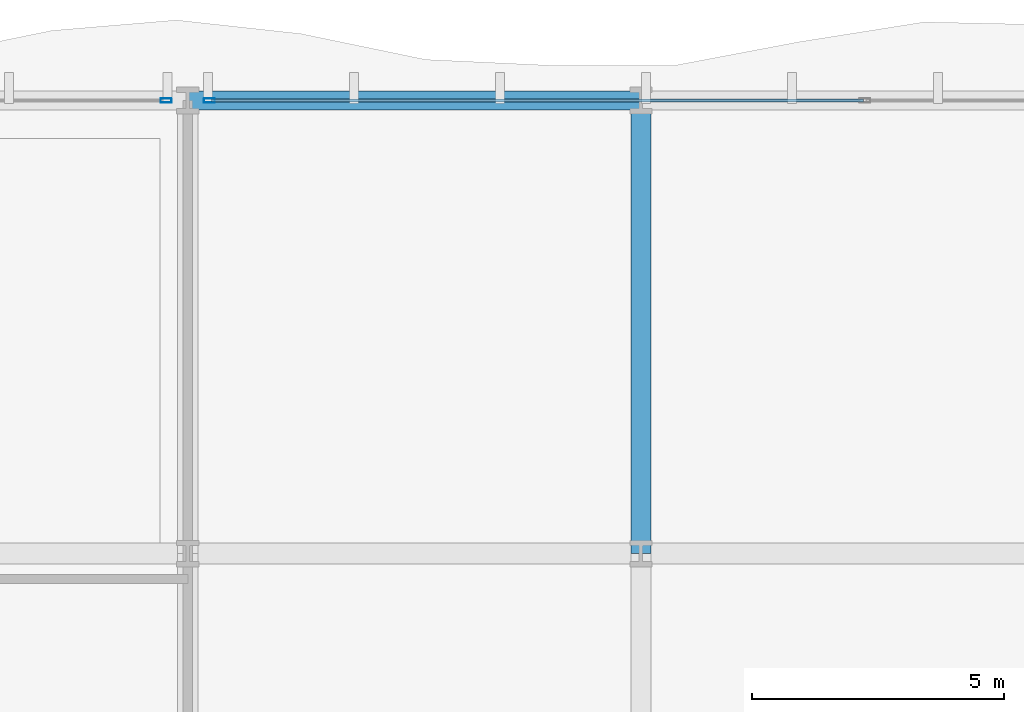
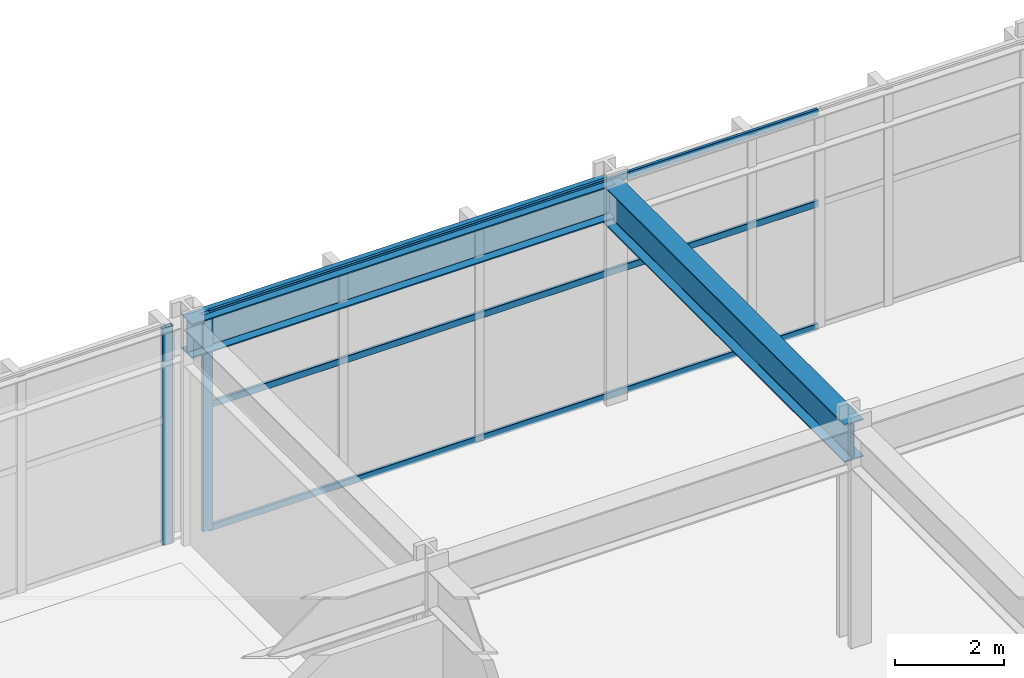
# One storey, part 19 of 31: 5 members, 2 beams, 2 elements without a shape of their own.
"""IFC4 building model written with IfcOpenShell, lengths in metres."""

import ifcopenshell
import ifcopenshell.guid

model = None  # the IFC model being written
_history = None  # IfcOwnerHistory: only IFC2X3 demands one
_inside = {}  # id of a spatial element -> (the spatial element, [elements in it])
_under = {}  # id of a project, library or spatial element -> (it, [spatial elements below it])
_declared = {}  # id of a project -> (the project, [libraries it declares])
_typed = {}  # id of a type object -> (the type object, [elements of that type])
_made_of = {}  # id of a material, layer set ... -> (it, [elements and type objects made of it])


def new_model(schema):
    """Start an empty IFC model of exactly this schema.

    Asked for "IFC4X3", IfcOpenShell would pick the latest addendum, in which some entities
    have other attributes; the version numbers below select the first issue.
    IFC2X3 requires an IfcOwnerHistory on every rooted entity: one is made here for all.
    """
    global model, _history
    if schema == "IFC4X3":
        model = ifcopenshell.file(schema_version=(4, 3, 0, 0))
    else:
        model = ifcopenshell.file(schema=schema)
    _inside.clear()
    _under.clear()
    _declared.clear()
    _typed.clear()
    _made_of.clear()
    _history = None
    if model.schema == "IFC2X3":
        org = make("IfcOrganization", Name="unknown")
        user = make(
            "IfcPersonAndOrganization",
            ThePerson=make("IfcPerson", FamilyName="unknown"),
            TheOrganization=org,
        )
        app = make(
            "IfcApplication",
            ApplicationDeveloper=org,
            Version="unknown",
            ApplicationFullName="unknown",
            ApplicationIdentifier="unknown",
        )
        _history = make(
            "IfcOwnerHistory",
            OwningUser=user,
            OwningApplication=app,
            ChangeAction="ADDED",
            CreationDate=0,
        )
    return model


def make(cls, **values):
    """One entity of the class cls with the attributes given. An attribute that is None is left unset."""
    return model.create_entity(
        cls, **{name: value for name, value in values.items() if value is not None}
    )


def rooted(cls, **values):
    """An entity with a GlobalId (a new one), such as an element, a storey or a relation."""
    return make(cls, GlobalId=ifcopenshell.guid.new(), OwnerHistory=_history, **values)


def si_unit(unit_type, name, prefix=None):
    """IfcSIUnit, for example si_unit("LENGTHUNIT", "METRE", prefix="MILLI")."""
    return make("IfcSIUnit", UnitType=unit_type, Prefix=prefix, Name=name)


def assignment(units):
    """IfcUnitAssignment: the units of a project."""
    return None if units is None else make("IfcUnitAssignment", Units=units)


def point(xyz):
    """IfcCartesianPoint."""
    return None if xyz is None else make("IfcCartesianPoint", Coordinates=xyz)


def direction(xyz):
    """IfcDirection."""
    return None if xyz is None else make("IfcDirection", DirectionRatios=xyz)


def frame(location, z_axis=None, x_axis=None):
    """IfcAxis2Placement3D, a coordinate frame: its origin and axes. An axis left out is left unset."""
    return make(
        "IfcAxis2Placement3D",
        Location=point(location),
        Axis=direction(z_axis),
        RefDirection=direction(x_axis),
    )


def frame_2d(location, x_axis=None):
    """IfcAxis2Placement2D, a coordinate frame in the plane: its origin and x axis."""
    return make(
        "IfcAxis2Placement2D", Location=point(location), RefDirection=direction(x_axis)
    )


def origin():
    """The frame at (0, 0, 0) with its axes left unset."""
    return frame((0.0, 0.0, 0.0))


def origin_2d():
    """The frame at (0, 0) in the plane with its x axis left unset."""
    return frame_2d((0.0, 0.0))


def place(relative_to, where):
    """IfcLocalPlacement: puts the frame where relative to a parent placement (None: the world)."""
    return make(
        "IfcLocalPlacement", PlacementRelTo=relative_to, RelativePlacement=where
    )


def context(
    kind, dimensions, precision=None, world=None, true_north=None, identifier=None
):
    """IfcGeometricRepresentationContext, for example the 3D "Model" context."""
    return make(
        "IfcGeometricRepresentationContext",
        ContextIdentifier=identifier,
        ContextType=kind,
        CoordinateSpaceDimension=dimensions,
        Precision=precision,
        WorldCoordinateSystem=world,
        TrueNorth=true_north,
    )


def subcontext(parent, identifier, kind, view, scale=None):
    """IfcGeometricRepresentationSubContext, for example "Body" below "Model"."""
    return make(
        "IfcGeometricRepresentationSubContext",
        ContextIdentifier=identifier,
        ContextType=kind,
        ParentContext=parent,
        TargetScale=scale,
        TargetView=view,
    )


def project(units=None, contexts=None):
    """IfcProject with its units and contexts."""
    return rooted(
        "IfcProject",
        Name="project",
        RepresentationContexts=contexts,
        UnitsInContext=assignment(units),
    )


def spatial(cls, under=None, at=None, **own):
    """A site, building, storey or space (cls), placed at a placement, below another one or the project."""
    s = rooted(cls, ObjectPlacement=at, **own)
    if under is not None:
        _under.setdefault(under.id(), (under, []))[1].append(s)
    return s


def profile(cls, at=None, kind="AREA", **sizes):
    """A parametric profile (cls). Its sizes go by their IFC names, for example OverallWidth=200.0."""
    return make(cls, ProfileType=kind, Position=at, **sizes)


def hollow_rectangle(**sizes):
    """IfcRectangleHollowProfileDef."""
    return profile("IfcRectangleHollowProfileDef", **sizes)


def i_section(**sizes):
    """IfcIShapeProfileDef."""
    return profile("IfcIShapeProfileDef", **sizes)


def extrude(swept, where, along, depth):
    """IfcExtrudedAreaSolid: the profile swept, set in the frame where, extruded along a direction by depth."""
    return make(
        "IfcExtrudedAreaSolid",
        SweptArea=swept,
        Position=where,
        ExtrudedDirection=direction(along),
        Depth=depth,
    )


def shape(context_of_items, identifier, shape_type, items):
    """IfcShapeRepresentation: the items that make up one representation, for example the "Body"."""
    return make(
        "IfcShapeRepresentation",
        ContextOfItems=context_of_items,
        RepresentationIdentifier=identifier,
        RepresentationType=shape_type,
        Items=items,
    )


def material(Name=None, Category=None):
    """IfcMaterial."""
    return make("IfcMaterial", Name=Name, Category=Category)


def layer(
    of_material, thickness, ventilated=None, Name=None, Category=None, Priority=None
):
    """IfcMaterialLayer: one layer of a wall or slab, of a material (None: an air gap)."""
    return make(
        "IfcMaterialLayer",
        Material=of_material,
        LayerThickness=thickness,
        IsVentilated=ventilated,
        Name=Name,
        Category=Category,
        Priority=Priority,
    )


def layer_set(layers, Name=None):
    """IfcMaterialLayerSet."""
    return make("IfcMaterialLayerSet", MaterialLayers=layers, LayerSetName=Name)


def material_profile(
    of_material, cross_section, Name=None, Category=None, Priority=None
):
    """IfcMaterialProfile: a cross section and its material."""
    return make(
        "IfcMaterialProfile",
        Name=Name,
        Material=of_material,
        Profile=cross_section,
        Priority=Priority,
        Category=Category,
    )


def profile_set(profiles, Name=None, composite=None):
    """IfcMaterialProfileSet."""
    return make(
        "IfcMaterialProfileSet",
        Name=Name,
        MaterialProfiles=profiles,
        CompositeProfile=composite,
    )


def made_of(thing, what):
    """Note that an element or type object is made of a material, layer set ...; save() writes the relation."""
    if what is not None:
        _made_of.setdefault(what.id(), (what, []))[1].append(thing)
    return thing


def type_object(cls, material=None, **own):
    """A type object (cls), such as IfcWallType, which elements share."""
    return made_of(rooted(cls, **own), material)


def element(
    cls,
    number,
    at=None,
    inside=None,
    cuts=None,
    type_object=None,
    material=None,
    context=None,
    identifier="Body",
    shape_type=None,
    held_by="IfcProductDefinitionShape",
    body=None,
    shapes=None,
    **own,
):
    """One element of the class cls, such as IfcWall. Its Tag is "e" and its number.

    at: its placement. inside: the storey or other place that contains it. cuts: it is an
    opening in that element (IfcRelVoidsElement). A single representation is given by context,
    identifier, shape_type and body (its items); several are given by shapes. held_by: the class
    of the entity that holds the representations. save() writes the other relations.
    """
    e = rooted(cls, Tag="e%d" % number, ObjectPlacement=at, **own)
    if body is not None:
        shapes = [shape(context, identifier, shape_type, body)]
    if shapes is not None:
        e.Representation = make(held_by, Representations=shapes)
    if inside is not None:
        _inside.setdefault(inside.id(), (inside, []))[1].append(e)
    if cuts is not None:
        rooted(
            "IfcRelVoidsElement", RelatingBuildingElement=cuts, RelatedOpeningElement=e
        )
    if type_object is not None:
        _typed.setdefault(type_object.id(), (type_object, []))[1].append(e)
    return made_of(e, material)


def aggregate(whole, parts):
    """IfcRelAggregates: a whole, such as a stair, and the parts it consists of."""
    return rooted("IfcRelAggregates", RelatingObject=whole, RelatedObjects=parts)


def save(model, path):
    """Write the relations noted so far, then the file.

    IfcRelAggregates (storeys below a building ...), IfcRelContainedInSpatialStructure (elements
    in a storey), IfcRelDefinesByType, IfcRelAssociatesMaterial and IfcRelDeclares: one each for
    every whole, place, type object, material and project.
    """
    for whole, parts in _under.values():
        aggregate(whole, parts)
    for where, things in _inside.values():
        rooted(
            "IfcRelContainedInSpatialStructure",
            RelatedElements=things,
            RelatingStructure=where,
        )
    for kind, things in _typed.values():
        rooted("IfcRelDefinesByType", RelatedObjects=things, RelatingType=kind)
    for what, things in _made_of.values():
        rooted("IfcRelAssociatesMaterial", RelatedObjects=things, RelatingMaterial=what)
    for by, libraries in _declared.values():
        rooted("IfcRelDeclares", RelatingContext=by, RelatedDefinitions=libraries)
    model.write(path)


model = new_model("IFC4")

# Units and contexts
model_context = context("Model", 3, precision=1e-05, world=origin(), true_north=direction((0.0, 1.0)))
body_context = subcontext(model_context, "Body", "Model", "MODEL_VIEW")
ifc_project = project(units=[si_unit("LENGTHUNIT", "METRE"), si_unit("AREAUNIT", "SQUARE_METRE"), si_unit("VOLUMEUNIT", "CUBIC_METRE"), si_unit("PLANEANGLEUNIT", "RADIAN"), si_unit("MASSUNIT", "GRAM", prefix="KILO")], contexts=[model_context])

# Site, building, storey
site_placement = place(None, origin())
site = spatial("IfcSite", under=ifc_project, at=site_placement, CompositionType="ELEMENT")
building_placement = place(site_placement, origin())
building = spatial("IfcBuilding", under=site, at=building_placement, Name="Solvaryn Broadcast Tower", CompositionType="ELEMENT")
storey_placement = place(building_placement, frame((0.0, 0.0, 11.0)))
storey = spatial("IfcBuildingStorey", under=building, at=storey_placement, Name="L02", CompositionType="ELEMENT", Elevation=11.0)

# Beams
ifc_material_1 = material(Name="Steel ASTM A992 Grade 50", Category="steel")
ifc_material_profile_1 = material_profile(ifc_material_1, i_section(OverallWidth=0.39990234375, OverallDepth=0.85498046875, WebThickness=0.018310546875, FlangeThickness=0.029296875, FilletRadius=0.02001953125, at=origin_2d()))
ifc_profile_set_1 = profile_set([ifc_material_profile_1], Name="Steel ASTM A992 Grade 50")
beam_type_1 = type_object("IfcBeamType", Name="BM-G3-W33X201", PredefinedType="BEAM", material=ifc_profile_set_1)
beam_1_placement = place(storey_placement, frame((45.0, 45.0, 4.452392578125), z_axis=(0.0, 1.0, 0.0), x_axis=(-1.0, 0.0, 0.0)))
element("IfcBeam", 1, at=beam_1_placement, inside=storey, type_object=beam_type_1, Name="L02 Primary Beam Y (45-54 @ X=45)", PredefinedType="BEAM", context=body_context, shape_type="SweptSolid", body=[
    extrude(i_section(OverallWidth=0.39990234375, OverallDepth=0.85498046875, WebThickness=0.018310546875, FlangeThickness=0.029296875, FilletRadius=0.02001953125, at=origin_2d()), origin(), (0.0, 0.0, 1.0), 9.0),
])
ifc_material_2 = material(Name="Steel ASTM A992 Grade 50", Category="steel")
ifc_material_profile_2 = material_profile(ifc_material_2, i_section(OverallWidth=0.381103515625, OverallDepth=0.77294921875, WebThickness=0.0166015625, FlangeThickness=0.027099609375, FilletRadius=0.01806640625, at=origin_2d()))
ifc_profile_set_2 = profile_set([ifc_material_profile_2], Name="Steel ASTM A992 Grade 50")
beam_type_2 = type_object("IfcBeamType", Name="BM-SP1-W30X173", PredefinedType="USERDEFINED", material=ifc_profile_set_2)
beam_2_placement = place(storey_placement, frame((36.0, 54.0, 4.493408203125), z_axis=(1.0, 0.0, 0.0), x_axis=(0.0, 1.0, 0.0)))
element("IfcBeam", 2, at=beam_2_placement, inside=storey, type_object=beam_type_2, Name="L02 Spandrel Beam X (36-45 @ Y=54)", ObjectType="SPANDREL", PredefinedType="USERDEFINED", context=body_context, shape_type="SweptSolid", body=[
    extrude(i_section(OverallWidth=0.381103515625, OverallDepth=0.77294921875, WebThickness=0.0166015625, FlangeThickness=0.027099609375, FilletRadius=0.01806640625, at=origin_2d()), origin(), (0.0, 0.0, 1.0), 9.0),
])

# Curtain wall, member
ifc_material_3 = material(Name="Aluminium and Terracotta Unitised Curtain Wall", Category="masonry")
ifc_layer = layer(ifc_material_3, 0.219970703125)
ifc_layer_set = layer_set([ifc_layer], Name="CW-SYS1-PODIUM")
curtain_wall_type = type_object("IfcCurtainWallType", Name="CW-SYS1-PODIUM", PredefinedType="NOTDEFINED", material=ifc_layer_set)
curtain_wall_1_placement = place(storey_placement, origin())
curtain_wall_1 = element("IfcCurtainWall", 3, at=curtain_wall_1_placement, inside=storey, type_object=curtain_wall_type, Name="L02 Podium Curtain Wall N1", PredefinedType="NOTDEFINED")
ifc_material_4 = material(Name="Anodised Aluminium 6063-T6", Category="aluminium")
ifc_material_profile_3 = material_profile(ifc_material_4, hollow_rectangle(XDim=0.0849609375, YDim=0.219970703125, WallThickness=0.0048828125, InnerFilletRadius=0.0048828125, OuterFilletRadius=0.010009765625, at=origin_2d()))
ifc_profile_set_3 = profile_set([ifc_material_profile_3], Name="Anodised Aluminium 6063-T6")
member_type_1 = type_object("IfcMemberType", Name="CW-MUL-220", PredefinedType="MULLION", material=ifc_profile_set_3)
member_1_placement = place(storey_placement, frame((35.570068359375, 54.0, 0.0), z_axis=(0.0, 0.0, 1.0), x_axis=(0.0, 1.0, 0.0)))
member_1 = element("IfcMember", 4, at=member_1_placement, type_object=member_type_1, Name="CWS1 mullion 3", PredefinedType="MULLION", context=body_context, shape_type="SweptSolid", body=[
    extrude(hollow_rectangle(XDim=0.0849609375, YDim=0.219970703125, WallThickness=0.0048828125, InnerFilletRadius=0.0048828125, OuterFilletRadius=0.010009765625, at=origin_2d()), origin(), (0.0, 0.0, 1.0), 4.8798828125),
])
aggregate(curtain_wall_1, [member_1])

# Curtain wall, members
curtain_wall_2_placement = place(storey_placement, origin())
curtain_wall_2 = element("IfcCurtainWall", 5, at=curtain_wall_2_placement, inside=storey, type_object=curtain_wall_type, Name="L02 Podium Curtain Wall N2", PredefinedType="NOTDEFINED")
member_2_placement = place(storey_placement, frame((36.429931640625, 54.0, 0.0), z_axis=(0.0, 0.0, 1.0), x_axis=(0.0, 1.0, 0.0)))
member_2 = element("IfcMember", 6, at=member_2_placement, type_object=member_type_1, Name="CWS1 mullion 1", PredefinedType="MULLION", context=body_context, shape_type="SweptSolid", body=[
    extrude(hollow_rectangle(XDim=0.0849609375, YDim=0.219970703125, WallThickness=0.0048828125, InnerFilletRadius=0.0048828125, OuterFilletRadius=0.010009765625, at=origin_2d()), origin(), (0.0, 0.0, 1.0), 4.8798828125),
])
ifc_material_5 = material(Name="Anodised Aluminium 6063-T6", Category="aluminium")
ifc_material_profile_4 = material_profile(ifc_material_5, hollow_rectangle(XDim=0.06494140625, YDim=0.14990234375, WallThickness=0.00390625, InnerFilletRadius=0.00390625, OuterFilletRadius=0.008056640625, at=origin_2d()))
ifc_profile_set_4 = profile_set([ifc_material_profile_4], Name="Anodised Aluminium 6063-T6")
member_type_2 = type_object("IfcMemberType", Name="CW-TRN-150", PredefinedType="USERDEFINED", material=ifc_profile_set_4)
member_3_placement = place(storey_placement, frame((36.4599609375, 54.0, 0.030029296875), z_axis=(1.0, 0.0, 0.0), x_axis=(0.0, 1.0, 0.0)))
member_3 = element("IfcMember", 7, at=member_3_placement, type_object=member_type_2, Name="CWS1 transom 1.1", ObjectType="TRANSOM", PredefinedType="USERDEFINED", context=body_context, shape_type="SweptSolid", body=[
    extrude(hollow_rectangle(XDim=0.06494140625, YDim=0.14990234375, WallThickness=0.00390625, InnerFilletRadius=0.00390625, OuterFilletRadius=0.008056640625, at=origin_2d()), origin(), (0.0, 0.0, 1.0), 12.9599609375),
])
member_4_placement = place(storey_placement, frame((36.4599609375, 54.0, 2.800048828125), z_axis=(1.0, 0.0, 0.0), x_axis=(0.0, 1.0, 0.0)))
member_4 = element("IfcMember", 8, at=member_4_placement, type_object=member_type_2, Name="CWS1 transom 1.2", ObjectType="TRANSOM", PredefinedType="USERDEFINED", context=body_context, shape_type="SweptSolid", body=[
    extrude(hollow_rectangle(XDim=0.06494140625, YDim=0.14990234375, WallThickness=0.00390625, InnerFilletRadius=0.00390625, OuterFilletRadius=0.008056640625, at=origin_2d()), origin(), (0.0, 0.0, 1.0), 12.9599609375),
])
member_5_placement = place(storey_placement, frame((36.4599609375, 54.0, 4.85009765625), z_axis=(1.0, 0.0, 0.0), x_axis=(0.0, 1.0, 0.0)))
member_5 = element("IfcMember", 9, at=member_5_placement, type_object=member_type_2, Name="CWS1 transom 1.3", ObjectType="TRANSOM", PredefinedType="USERDEFINED", context=body_context, shape_type="SweptSolid", body=[
    extrude(hollow_rectangle(XDim=0.06494140625, YDim=0.14990234375, WallThickness=0.00390625, InnerFilletRadius=0.00390625, OuterFilletRadius=0.008056640625, at=origin_2d()), origin(), (0.0, 0.0, 1.0), 12.9599609375),
])
aggregate(curtain_wall_2, [member_2, member_3, member_4, member_5])

save(model, "model.ifc")
